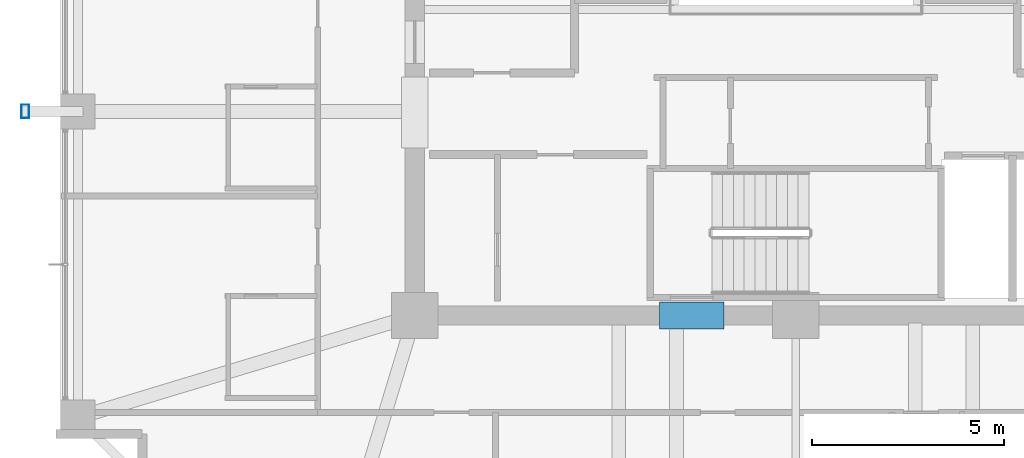
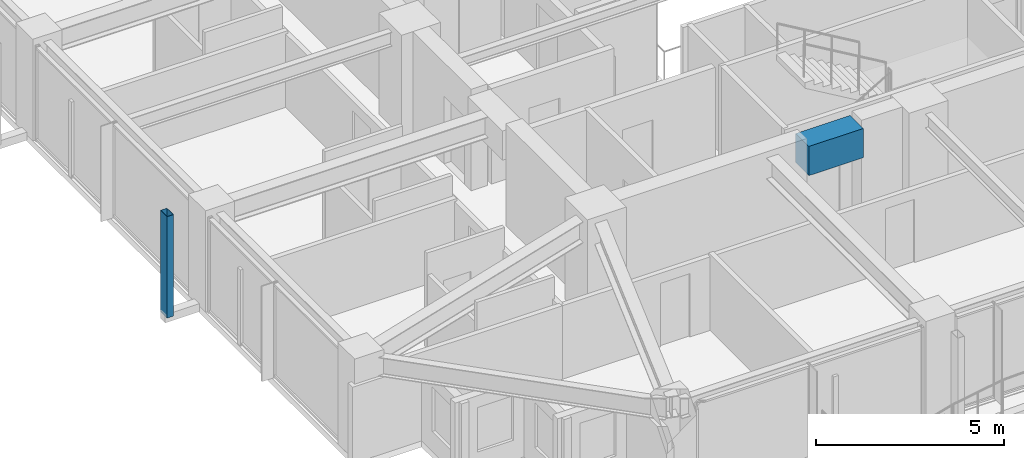
# One storey, part 7 of 32: 1 beam, 1 member.
"""IFC4 building model written with IfcOpenShell, lengths in metres."""

import ifcopenshell
import ifcopenshell.guid

model = None  # the IFC model being written
_history = None  # IfcOwnerHistory: only IFC2X3 demands one
_inside = {}  # id of a spatial element -> (the spatial element, [elements in it])
_under = {}  # id of a project, library or spatial element -> (it, [spatial elements below it])
_declared = {}  # id of a project -> (the project, [libraries it declares])
_typed = {}  # id of a type object -> (the type object, [elements of that type])
_made_of = {}  # id of a material, layer set ... -> (it, [elements and type objects made of it])


def new_model(schema):
    """Start an empty IFC model of exactly this schema.

    Asked for "IFC4X3", IfcOpenShell would pick the latest addendum, in which some entities
    have other attributes; the version numbers below select the first issue.
    IFC2X3 requires an IfcOwnerHistory on every rooted entity: one is made here for all.
    """
    global model, _history
    if schema == "IFC4X3":
        model = ifcopenshell.file(schema_version=(4, 3, 0, 0))
    else:
        model = ifcopenshell.file(schema=schema)
    _inside.clear()
    _under.clear()
    _declared.clear()
    _typed.clear()
    _made_of.clear()
    _history = None
    if model.schema == "IFC2X3":
        org = make("IfcOrganization", Name="unknown")
        user = make(
            "IfcPersonAndOrganization",
            ThePerson=make("IfcPerson", FamilyName="unknown"),
            TheOrganization=org,
        )
        app = make(
            "IfcApplication",
            ApplicationDeveloper=org,
            Version="unknown",
            ApplicationFullName="unknown",
            ApplicationIdentifier="unknown",
        )
        _history = make(
            "IfcOwnerHistory",
            OwningUser=user,
            OwningApplication=app,
            ChangeAction="ADDED",
            CreationDate=0,
        )
    return model


def make(cls, **values):
    """One entity of the class cls with the attributes given. An attribute that is None is left unset."""
    return model.create_entity(
        cls, **{name: value for name, value in values.items() if value is not None}
    )


def rooted(cls, **values):
    """An entity with a GlobalId (a new one), such as an element, a storey or a relation."""
    return make(cls, GlobalId=ifcopenshell.guid.new(), OwnerHistory=_history, **values)


def si_unit(unit_type, name, prefix=None):
    """IfcSIUnit, for example si_unit("LENGTHUNIT", "METRE", prefix="MILLI")."""
    return make("IfcSIUnit", UnitType=unit_type, Prefix=prefix, Name=name)


def assignment(units):
    """IfcUnitAssignment: the units of a project."""
    return None if units is None else make("IfcUnitAssignment", Units=units)


def point(xyz):
    """IfcCartesianPoint."""
    return None if xyz is None else make("IfcCartesianPoint", Coordinates=xyz)


def direction(xyz):
    """IfcDirection."""
    return None if xyz is None else make("IfcDirection", DirectionRatios=xyz)


def frame(location, z_axis=None, x_axis=None):
    """IfcAxis2Placement3D, a coordinate frame: its origin and axes. An axis left out is left unset."""
    return make(
        "IfcAxis2Placement3D",
        Location=point(location),
        Axis=direction(z_axis),
        RefDirection=direction(x_axis),
    )


def frame_2d(location, x_axis=None):
    """IfcAxis2Placement2D, a coordinate frame in the plane: its origin and x axis."""
    return make(
        "IfcAxis2Placement2D", Location=point(location), RefDirection=direction(x_axis)
    )


def origin():
    """The frame at (0, 0, 0) with its axes left unset."""
    return frame((0.0, 0.0, 0.0))


def origin_2d():
    """The frame at (0, 0) in the plane with its x axis left unset."""
    return frame_2d((0.0, 0.0))


def place(relative_to, where):
    """IfcLocalPlacement: puts the frame where relative to a parent placement (None: the world)."""
    return make(
        "IfcLocalPlacement", PlacementRelTo=relative_to, RelativePlacement=where
    )


def context(
    kind, dimensions, precision=None, world=None, true_north=None, identifier=None
):
    """IfcGeometricRepresentationContext, for example the 3D "Model" context."""
    return make(
        "IfcGeometricRepresentationContext",
        ContextIdentifier=identifier,
        ContextType=kind,
        CoordinateSpaceDimension=dimensions,
        Precision=precision,
        WorldCoordinateSystem=world,
        TrueNorth=true_north,
    )


def subcontext(parent, identifier, kind, view, scale=None):
    """IfcGeometricRepresentationSubContext, for example "Body" below "Model"."""
    return make(
        "IfcGeometricRepresentationSubContext",
        ContextIdentifier=identifier,
        ContextType=kind,
        ParentContext=parent,
        TargetScale=scale,
        TargetView=view,
    )


def project(units=None, contexts=None):
    """IfcProject with its units and contexts."""
    return rooted(
        "IfcProject",
        Name="project",
        RepresentationContexts=contexts,
        UnitsInContext=assignment(units),
    )


def spatial(cls, under=None, at=None, **own):
    """A site, building, storey or space (cls), placed at a placement, below another one or the project."""
    s = rooted(cls, ObjectPlacement=at, **own)
    if under is not None:
        _under.setdefault(under.id(), (under, []))[1].append(s)
    return s


def profile(cls, at=None, kind="AREA", **sizes):
    """A parametric profile (cls). Its sizes go by their IFC names, for example OverallWidth=200.0."""
    return make(cls, ProfileType=kind, Position=at, **sizes)


def rectangle(**sizes):
    """IfcRectangleProfileDef."""
    return profile("IfcRectangleProfileDef", **sizes)


def hollow_rectangle(**sizes):
    """IfcRectangleHollowProfileDef."""
    return profile("IfcRectangleHollowProfileDef", **sizes)


def extrude(swept, where, along, depth):
    """IfcExtrudedAreaSolid: the profile swept, set in the frame where, extruded along a direction by depth."""
    return make(
        "IfcExtrudedAreaSolid",
        SweptArea=swept,
        Position=where,
        ExtrudedDirection=direction(along),
        Depth=depth,
    )


def shape(context_of_items, identifier, shape_type, items):
    """IfcShapeRepresentation: the items that make up one representation, for example the "Body"."""
    return make(
        "IfcShapeRepresentation",
        ContextOfItems=context_of_items,
        RepresentationIdentifier=identifier,
        RepresentationType=shape_type,
        Items=items,
    )


def material(Name=None, Category=None):
    """IfcMaterial."""
    return make("IfcMaterial", Name=Name, Category=Category)


def material_profile(
    of_material, cross_section, Name=None, Category=None, Priority=None
):
    """IfcMaterialProfile: a cross section and its material."""
    return make(
        "IfcMaterialProfile",
        Name=Name,
        Material=of_material,
        Profile=cross_section,
        Priority=Priority,
        Category=Category,
    )


def profile_set(profiles, Name=None, composite=None):
    """IfcMaterialProfileSet."""
    return make(
        "IfcMaterialProfileSet",
        Name=Name,
        MaterialProfiles=profiles,
        CompositeProfile=composite,
    )


def made_of(thing, what):
    """Note that an element or type object is made of a material, layer set ...; save() writes the relation."""
    if what is not None:
        _made_of.setdefault(what.id(), (what, []))[1].append(thing)
    return thing


def type_object(cls, material=None, **own):
    """A type object (cls), such as IfcWallType, which elements share."""
    return made_of(rooted(cls, **own), material)


def element(
    cls,
    number,
    at=None,
    inside=None,
    cuts=None,
    type_object=None,
    material=None,
    context=None,
    identifier="Body",
    shape_type=None,
    held_by="IfcProductDefinitionShape",
    body=None,
    shapes=None,
    **own,
):
    """One element of the class cls, such as IfcWall. Its Tag is "e" and its number.

    at: its placement. inside: the storey or other place that contains it. cuts: it is an
    opening in that element (IfcRelVoidsElement). A single representation is given by context,
    identifier, shape_type and body (its items); several are given by shapes. held_by: the class
    of the entity that holds the representations. save() writes the other relations.
    """
    e = rooted(cls, Tag="e%d" % number, ObjectPlacement=at, **own)
    if body is not None:
        shapes = [shape(context, identifier, shape_type, body)]
    if shapes is not None:
        e.Representation = make(held_by, Representations=shapes)
    if inside is not None:
        _inside.setdefault(inside.id(), (inside, []))[1].append(e)
    if cuts is not None:
        rooted(
            "IfcRelVoidsElement", RelatingBuildingElement=cuts, RelatedOpeningElement=e
        )
    if type_object is not None:
        _typed.setdefault(type_object.id(), (type_object, []))[1].append(e)
    return made_of(e, material)


def aggregate(whole, parts):
    """IfcRelAggregates: a whole, such as a stair, and the parts it consists of."""
    return rooted("IfcRelAggregates", RelatingObject=whole, RelatedObjects=parts)


def save(model, path):
    """Write the relations noted so far, then the file.

    IfcRelAggregates (storeys below a building ...), IfcRelContainedInSpatialStructure (elements
    in a storey), IfcRelDefinesByType, IfcRelAssociatesMaterial and IfcRelDeclares: one each for
    every whole, place, type object, material and project.
    """
    for whole, parts in _under.values():
        aggregate(whole, parts)
    for where, things in _inside.values():
        rooted(
            "IfcRelContainedInSpatialStructure",
            RelatedElements=things,
            RelatingStructure=where,
        )
    for kind, things in _typed.values():
        rooted("IfcRelDefinesByType", RelatedObjects=things, RelatingType=kind)
    for what, things in _made_of.values():
        rooted("IfcRelAssociatesMaterial", RelatedObjects=things, RelatingMaterial=what)
    for by, libraries in _declared.values():
        rooted("IfcRelDeclares", RelatingContext=by, RelatedDefinitions=libraries)
    model.write(path)


model = new_model("IFC4")

# Units and contexts
model_context = context("Model", 3, precision=1e-05, world=origin(), true_north=direction((0.0, 1.0)))
body_context = subcontext(model_context, "Body", "Model", "MODEL_VIEW")
ifc_project = project(units=[si_unit("LENGTHUNIT", "METRE"), si_unit("AREAUNIT", "SQUARE_METRE"), si_unit("VOLUMEUNIT", "CUBIC_METRE"), si_unit("PLANEANGLEUNIT", "RADIAN"), si_unit("MASSUNIT", "GRAM", prefix="KILO")], contexts=[model_context])

# Site, building, storey
site_placement = place(None, origin())
site = spatial("IfcSite", under=ifc_project, at=site_placement, CompositionType="ELEMENT")
building_placement = place(site_placement, origin())
building = spatial("IfcBuilding", under=site, at=building_placement, Name="Kolvaren Belvedere", CompositionType="ELEMENT")
storey_placement = place(building_placement, frame((0.0, 0.0, 160.199951171875)))
storey = spatial("IfcBuildingStorey", under=building, at=storey_placement, Name="L46", CompositionType="ELEMENT", Elevation=160.199951171875)

# Beam
ifc_material_1 = material(Name="Concrete C60/75", Category="concrete")
ifc_material_profile_1 = material_profile(ifc_material_1, rectangle(XDim=0.699951171875, YDim=0.949951171875, at=origin_2d()), Name="RC 700X950")
ifc_profile_set_1 = profile_set([ifc_material_profile_1], Name="Concrete C60/75")
beam_type = type_object("IfcBeamType", Name="BM-LINT-950", PredefinedType="LINTEL", material=ifc_profile_set_1)
beam_placement = place(storey_placement, frame((-3.5400390625, -9.89990234375, 2.625), z_axis=(1.0, 0.0, 0.0), x_axis=(0.0, 1.0, 0.0)))
element("IfcBeam", 1, at=beam_placement, inside=storey, type_object=beam_type, Name="L46 South Core Coupling Lintel", PredefinedType="LINTEL", context=body_context, shape_type="SweptSolid", body=[
    extrude(rectangle(XDim=0.699951171875, YDim=0.949951171875, at=origin_2d()), origin(), (0.0, 0.0, 1.0), 1.679931640625),
])

# Member
ifc_material_2 = material(Name="Anodised pale-metal aluminium AA 6063-T6", Category="aluminium")
ifc_material_profile_2 = material_profile(ifc_material_2, hollow_rectangle(XDim=0.199951171875, YDim=0.35009765625, WallThickness=0.007568359375, at=origin_2d()), Name="ALU-PF-350X200")
ifc_profile_set_2 = profile_set([ifc_material_profile_2], Name="Anodised pale-metal aluminium AA 6063-T6")
member_type = type_object("IfcMemberType", Name="PF-FRAME-350", PredefinedType="USERDEFINED", material=ifc_profile_set_2)
member_placement = place(storey_placement, frame((-20.02001953125, -4.60009765625, 0.0), z_axis=(0.0, 0.0, 1.0), x_axis=(1.0, 0.0, 0.0)))
element("IfcMember", 2, at=member_placement, inside=storey, type_object=member_type, Name="L46 Outboard Picture-Frame Vertical W1", ObjectType="PICTURE FRAME FIN", PredefinedType="USERDEFINED", context=body_context, shape_type="SweptSolid", body=[
    extrude(hollow_rectangle(XDim=0.199951171875, YDim=0.35009765625, WallThickness=0.007568359375, at=origin_2d()), origin(), (0.0, 0.0, 1.0), 3.300048828125),
])

save(model, "model.ifc")
